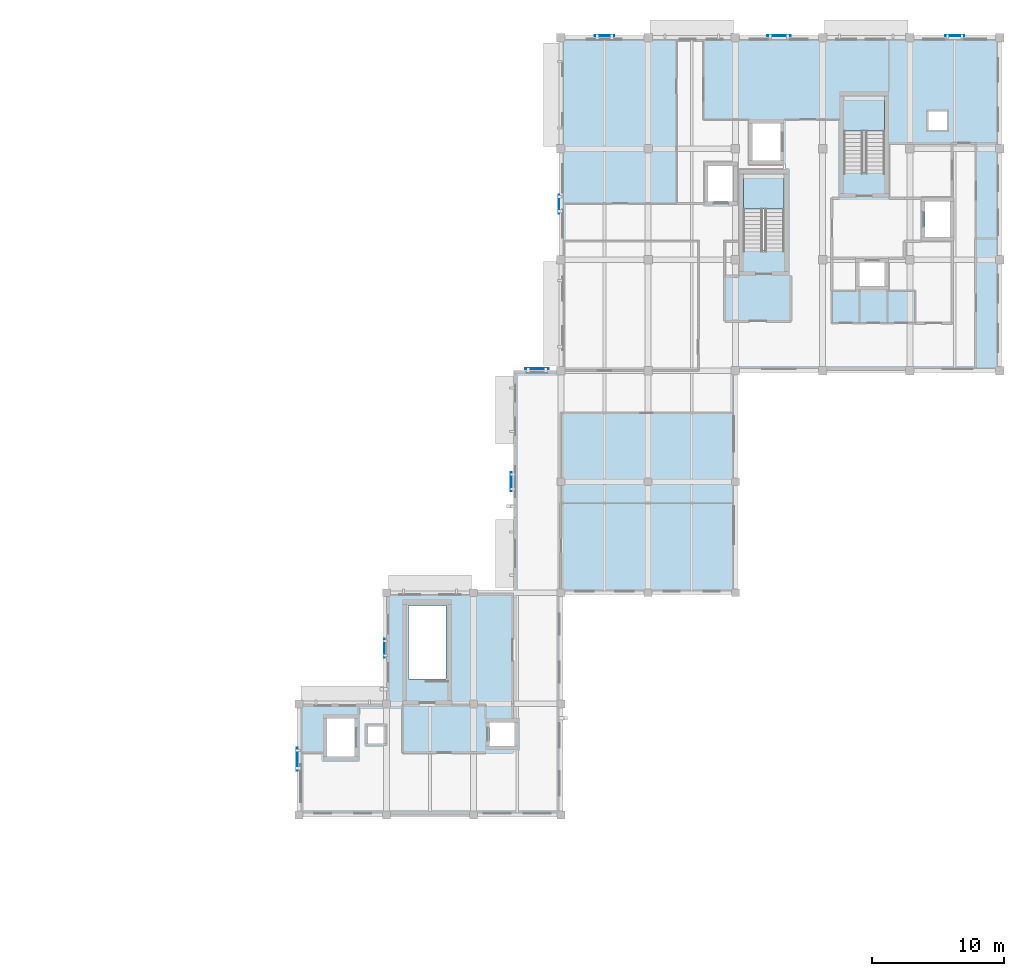
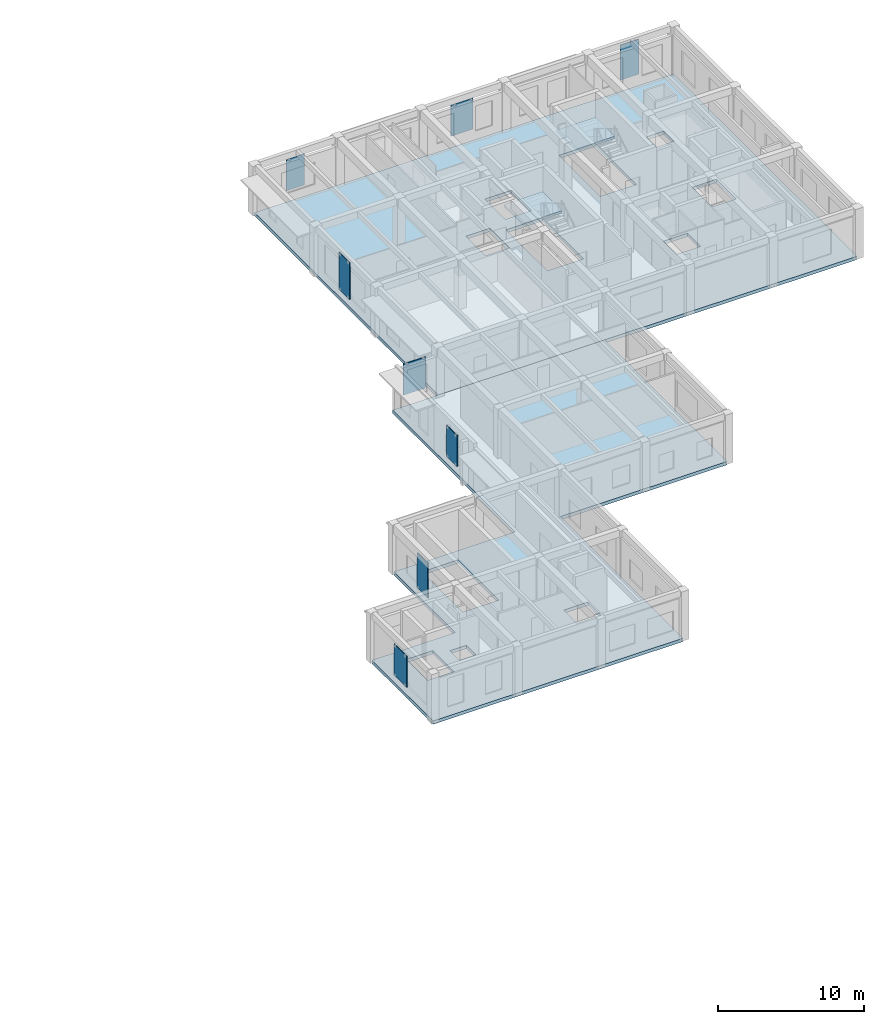
# One storey, part 4 of 14: 8 plates, 4 slabs, 2 elements without a shape of their own.
"""IFC4 building model written with IfcOpenShell, lengths in metres."""

from ifc_helpers import new_model, si_unit, direction, frame, origin, origin_2d, place, context, subcontext, project, spatial, polyline, rectangle, outline, extrude, material, layer, layer_set, type_object, element, aggregate, save


model = new_model("IFC4")

# Units and contexts
model_context = context("Model", 3, precision=1e-05, world=origin(), true_north=direction((0.0, 1.0)))
body_context = subcontext(model_context, "Body", "Model", "MODEL_VIEW")
ifc_project = project(units=[si_unit("LENGTHUNIT", "METRE"), si_unit("AREAUNIT", "SQUARE_METRE"), si_unit("VOLUMEUNIT", "CUBIC_METRE"), si_unit("PLANEANGLEUNIT", "RADIAN"), si_unit("MASSUNIT", "GRAM", prefix="KILO")], contexts=[model_context])

# Site, building, storey
site_placement = place(None, origin())
site = spatial("IfcSite", under=ifc_project, at=site_placement, CompositionType="ELEMENT")
building_placement = place(site_placement, origin())
building = spatial("IfcBuilding", under=site, at=building_placement, Name="Kolvaren Faculty of Natural Sciences", CompositionType="ELEMENT")
storey_placement = place(building_placement, frame((0.0, 0.0, 28.5)))
storey = spatial("IfcBuildingStorey", under=building, at=storey_placement, Name="L06", CompositionType="ELEMENT", Elevation=28.5)

# Plates
ifc_material_1 = material(Name="Extruded architectural terracotta screen", Category="masonry")
ifc_layer_1 = layer(ifc_material_1, 0.06494140625)
ifc_layer_set_1 = layer_set([ifc_layer_1], Name="Extruded architectural terracotta screen")
plate_type_1 = type_object("IfcPlateType", Name="EnvelopePlate_JL01", PredefinedType="USERDEFINED", material=ifc_layer_set_1)
for number, where, z_axis, x_axis, name in (
    (1, (135.06005859375, 50.60009765625, 0.849853515625), (0.0, 0.0, 1.0), (0.0, 1.0, 0.0), "L06 perforated terracotta jali sun screen JL-01"),
    (2, (142.10009765625, 84.340087890625, 0.849853515625), (0.0, 0.0, 1.0), (1.0, 0.0, 0.0), "L06 perforated terracotta jali sun screen JL-01"),
):
    element("IfcPlate", number, at=place(storey_placement, frame(where, z_axis=z_axis, x_axis=x_axis)), inside=storey, type_object=plate_type_1, Name=name, ObjectType="SCREEN", PredefinedType="USERDEFINED", context=body_context, shape_type="SweptSolid", body=[
        extrude(rectangle(XDim=1.449951171875, YDim=0.06494140625, at=origin_2d()), origin(), (0.0, 0.0, 1.0), 2.60009765625),
    ])
ifc_layer_2 = layer(ifc_material_1, 0.06494140625)
ifc_layer_set_2 = layer_set([ifc_layer_2], Name="Extruded architectural terracotta screen")
plate_type_2 = type_object("IfcPlateType", Name="EnvelopePlate_JL02", PredefinedType="USERDEFINED", material=ifc_layer_set_2)
for number, where, z_axis, x_axis, name in (
    (3, (118.860107421875, 29.60009765625, 0.849853515625), (0.0, 0.0, 1.0), (0.0, 1.0, 0.0), "L06 perforated terracotta jali sun screen JL-02"),
    (4, (137.0, 59.139892578125, 0.849853515625), (0.0, 0.0, 1.0), (1.0, 0.0, 0.0), "L06 perforated terracotta jali sun screen JL-02"),
    (5, (155.300048828125, 84.340087890625, 0.849853515625), (0.0, 0.0, 1.0), (1.0, 0.0, 0.0), "L06 perforated terracotta jali sun screen JL-02"),
):
    element("IfcPlate", number, at=place(storey_placement, frame(where, z_axis=z_axis, x_axis=x_axis)), inside=storey, type_object=plate_type_2, Name=name, ObjectType="SCREEN", PredefinedType="USERDEFINED", context=body_context, shape_type="SweptSolid", body=[
        extrude(rectangle(XDim=1.75, YDim=0.06494140625, at=origin_2d()), origin(), (0.0, 0.0, 1.0), 2.60009765625),
    ])
ifc_layer_3 = layer(ifc_material_1, 0.06494140625)
ifc_layer_set_3 = layer_set([ifc_layer_3], Name="Extruded architectural terracotta screen")
plate_type_3 = type_object("IfcPlateType", Name="EnvelopePlate_JL03", PredefinedType="USERDEFINED", material=ifc_layer_set_3)
plate_1_placement = place(storey_placement, frame((125.4599609375, 38.0, 0.849853515625), z_axis=(0.0, 0.0, 1.0), x_axis=(0.0, 1.0, 0.0)))
element("IfcPlate", 6, at=plate_1_placement, inside=storey, type_object=plate_type_3, Name="L06 perforated terracotta jali sun screen JL-03", ObjectType="SCREEN", PredefinedType="USERDEFINED", context=body_context, shape_type="SweptSolid", body=[
    extrude(rectangle(XDim=1.449951171875, YDim=0.06494140625, at=origin_2d()), origin(), (0.0, 0.0, 1.0), 2.93505859375),
])
plate_2_placement = place(storey_placement, frame((138.659912109375, 71.60009765625, 0.85009765625), z_axis=(0.0, 0.0, 1.0), x_axis=(0.0, 1.0, 0.0)))
element("IfcPlate", 7, at=plate_2_placement, inside=storey, type_object=plate_type_3, Name="L06 perforated terracotta jali sun screen JL-03", ObjectType="SCREEN", PredefinedType="USERDEFINED", context=body_context, shape_type="SweptSolid", body=[
    extrude(rectangle(XDim=1.449951171875, YDim=0.06494140625, at=origin_2d()), origin(), (0.0, 0.0, 1.0), 3.0849609375),
])
plate_3_placement = place(storey_placement, frame((168.60009765625, 84.340087890625, 0.849853515625), z_axis=(0.0, 0.0, 1.0), x_axis=(1.0, 0.0, 0.0)))
element("IfcPlate", 8, at=plate_3_placement, inside=storey, type_object=plate_type_3, Name="L06 perforated terracotta jali sun screen JL-03", ObjectType="SCREEN", PredefinedType="USERDEFINED", context=body_context, shape_type="SweptSolid", body=[
    extrude(rectangle(XDim=1.449951171875, YDim=0.06494140625, at=origin_2d()), origin(), (0.0, 0.0, 1.0), 2.93505859375),
])

# Stair, slab
ifc_material_2 = material(Name="Concrete C35/45", Category="concrete")
stair_type = type_object("IfcStairType", Name="DoglegStair_H4200", PredefinedType="HALF_TURN_STAIR", material=ifc_material_2)
stair_1_placement = place(storey_placement, origin())
stair_1 = element("IfcStair", 9, at=stair_1_placement, inside=storey, type_object=stair_type, Name="L06 Protected exit stair ST-1", PredefinedType="HALF_TURN_STAIR")
ifc_layer_4 = layer(ifc_material_2, 0.199951171875)
ifc_layer_set_4 = layer_set([ifc_layer_4], Name="Concrete C35/45")
slab_type_1 = type_object("IfcSlabType", Name="StairLandingSlab_200", PredefinedType="LANDING", material=ifc_layer_set_4)
slab_1_placement = place(storey_placement, frame((0.0, 0.0, 1.89990234375)))
slab_1 = element("IfcSlab", 10, at=slab_1_placement, type_object=slab_type_1, Name="ST-1 landing 1", PredefinedType="LANDING", context=body_context, shape_type="SweptSolid", body=[
    extrude(outline(polyline([(163.300048828125, 77.14501953125), (163.300048828125, 79.800048828125), (160.199951171875, 79.800048828125), (160.199951171875, 77.14501953125), (163.300048828125, 77.14501953125)])), origin(), (0.0, 0.0, 1.0), 0.2001953125),
])
aggregate(stair_1, [slab_1])

stair_2_placement = place(storey_placement, origin())
stair_2 = element("IfcStair", 11, at=stair_2_placement, inside=storey, type_object=stair_type, Name="L06 Protected exit stair ST-2", PredefinedType="HALF_TURN_STAIR")
slab_2_placement = place(storey_placement, frame((0.0, 0.0, 1.89990234375)))
slab_2 = element("IfcSlab", 12, at=slab_2_placement, type_object=slab_type_1, Name="ST-2 landing 1", PredefinedType="LANDING", context=body_context, shape_type="SweptSolid", body=[
    extrude(outline(polyline([(155.699951171875, 71.2451171875), (155.699951171875, 73.89990234375), (152.60009765625, 73.89990234375), (152.60009765625, 71.2451171875), (155.699951171875, 71.2451171875)])), origin(), (0.0, 0.0, 1.0), 0.2001953125),
])
aggregate(stair_2, [slab_2])

# Slabs
ifc_layer_5 = layer(ifc_material_2, 0.280029296875)
ifc_layer_set_5 = layer_set([ifc_layer_5], Name="Concrete C35/45")
slab_type_2 = type_object("IfcSlabType", Name="TowerLabSlab_280", PredefinedType="FLOOR", material=ifc_layer_set_5)
slab_3_placement = place(storey_placement, frame((0.0, 0.0, -0.280029296875)))
element("IfcSlab", 13, at=slab_3_placement, inside=storey, type_object=slab_type_2, Name="L06 V5 structural slab 1", PredefinedType="FLOOR", context=body_context, shape_type="SweptSolid", body=[
    extrude(outline(polyline([(119.0, 25.39990234375), (119.0, 33.800048828125), (125.60009765625, 33.800048828125), (125.60009765625, 42.199951171875), (135.199951171875, 42.199951171875), (135.199951171875, 59.0), (152.0, 59.0), (152.0, 42.199951171875), (138.800048828125, 42.199951171875), (138.800048828125, 33.800048828125), (138.800048828125, 25.39990234375), (119.0, 25.39990234375)]), holes=[polyline([(133.39990234375, 32.39990234375), (133.39990234375, 30.60009765625), (135.300048828125, 30.60009765625), (135.300048828125, 32.39990234375), (133.39990234375, 32.39990234375)]), polyline([(130.1298828125, 41.22998046875), (127.27001953125, 41.22998046875), (127.27001953125, 35.669921875), (130.1298828125, 35.669921875), (130.1298828125, 41.22998046875)]), polyline([(124.199951171875, 32.10009765625), (124.199951171875, 30.800048828125), (125.5, 30.800048828125), (125.5, 32.10009765625), (124.199951171875, 32.10009765625)]), polyline([(121.10009765625, 32.699951171875), (121.10009765625, 29.800048828125), (123.199951171875, 29.800048828125), (123.199951171875, 32.699951171875), (121.10009765625, 32.699951171875)])]), origin(), (0.0, 0.0, 1.0), 0.280029296875),
])
slab_4_placement = place(storey_placement, frame((0.0, 0.0, -0.280029296875)))
element("IfcSlab", 14, at=slab_4_placement, inside=storey, type_object=slab_type_2, Name="L06 V6 structural slab 1", PredefinedType="FLOOR", context=body_context, shape_type="SweptSolid", body=[
    extrude(outline(polyline([(138.800048828125, 59.0), (138.800048828125, 84.199951171875), (172.0, 84.199951171875), (172.0, 59.0), (138.800048828125, 59.0)]), holes=[polyline([(168.25, 71.800048828125), (166.35009765625, 71.800048828125), (166.35009765625, 69.10009765625), (168.25, 69.10009765625), (168.25, 71.800048828125)]), polyline([(168.0, 78.60009765625), (166.60009765625, 78.60009765625), (166.60009765625, 77.199951171875), (168.0, 77.199951171875), (168.0, 78.60009765625)]), polyline([(163.300048828125, 67.199951171875), (161.39990234375, 67.199951171875), (161.39990234375, 65.39990234375), (163.300048828125, 65.39990234375), (163.300048828125, 67.199951171875)]), polyline([(163.179931640625, 79.679931640625), (160.320068359375, 79.679931640625), (160.320068359375, 74.02001953125), (163.179931640625, 74.02001953125), (163.179931640625, 79.679931640625)]), polyline([(152.719970703125, 73.780029296875), (152.719970703125, 68.1201171875), (155.580078125, 68.1201171875), (155.580078125, 73.780029296875), (152.719970703125, 73.780029296875)]), polyline([(153.300048828125, 77.699951171875), (153.300048828125, 74.89990234375), (155.39990234375, 74.89990234375), (155.39990234375, 77.699951171875), (153.300048828125, 77.699951171875)]), polyline([(149.949951171875, 74.5), (149.949951171875, 71.800048828125), (151.85009765625, 71.800048828125), (151.85009765625, 74.5), (149.949951171875, 74.5)])]), origin(), (0.0, 0.0, 1.0), 0.280029296875),
])

save(model, "model.ifc")
